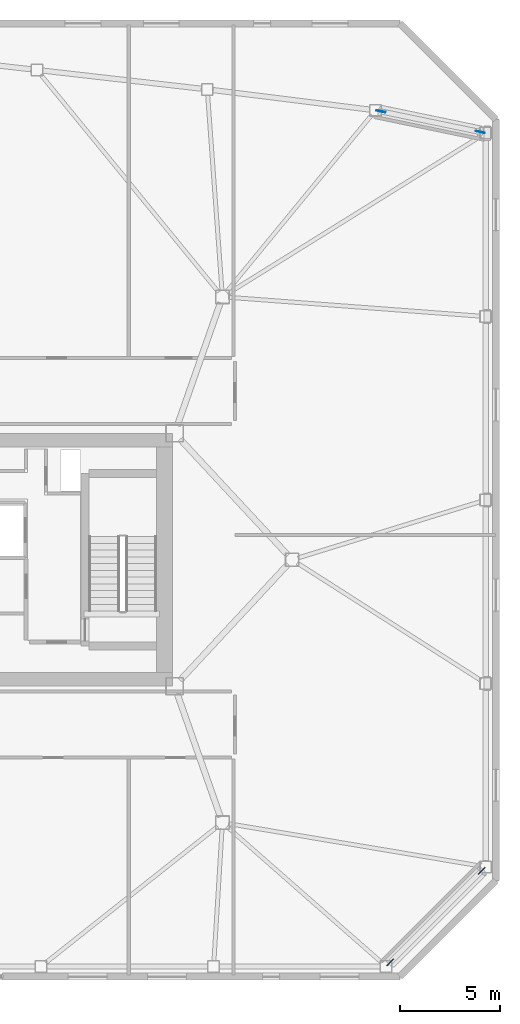
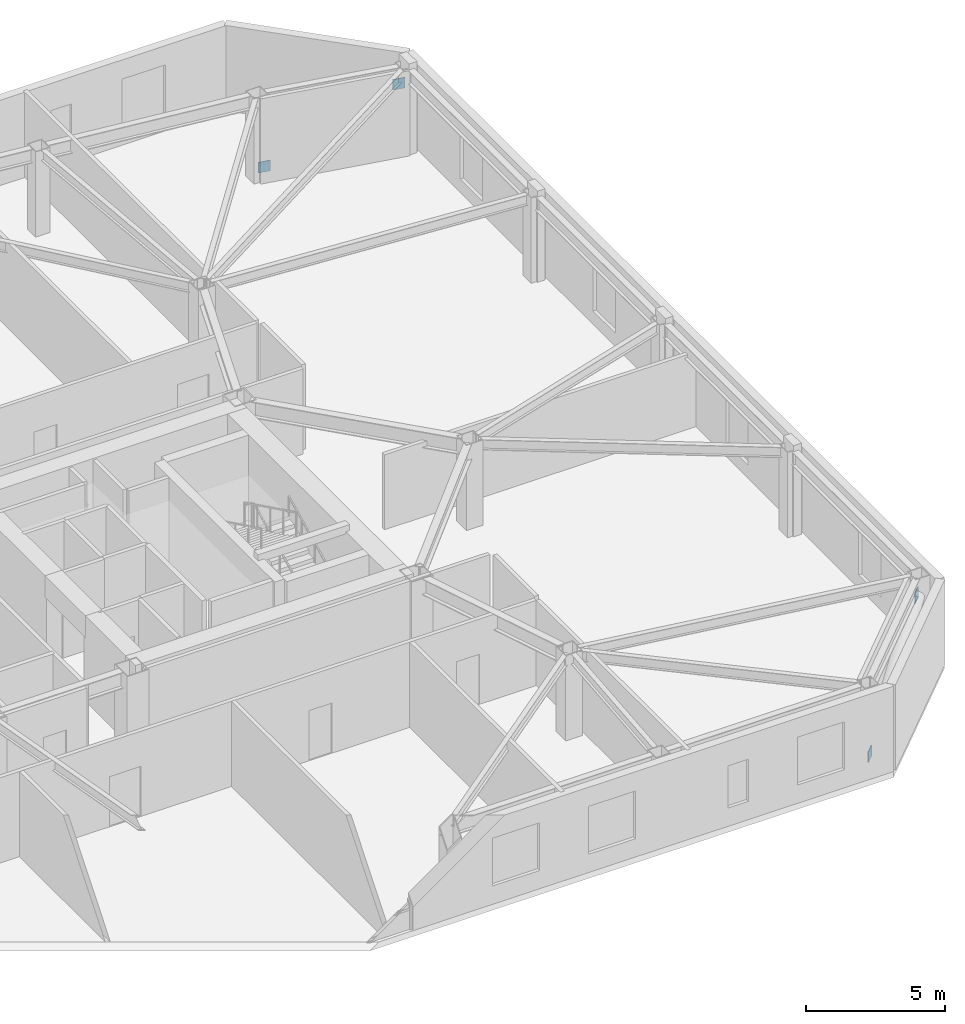
# One storey, part 17 of 18: 4 discrete accessories.
"""IFC4 building model written with IfcOpenShell, lengths in metres."""

import ifcopenshell
import ifcopenshell.guid

model = None  # the IFC model being written
_history = None  # IfcOwnerHistory: only IFC2X3 demands one
_inside = {}  # id of a spatial element -> (the spatial element, [elements in it])
_under = {}  # id of a project, library or spatial element -> (it, [spatial elements below it])
_declared = {}  # id of a project -> (the project, [libraries it declares])
_typed = {}  # id of a type object -> (the type object, [elements of that type])
_made_of = {}  # id of a material, layer set ... -> (it, [elements and type objects made of it])


def new_model(schema):
    """Start an empty IFC model of exactly this schema.

    Asked for "IFC4X3", IfcOpenShell would pick the latest addendum, in which some entities
    have other attributes; the version numbers below select the first issue.
    IFC2X3 requires an IfcOwnerHistory on every rooted entity: one is made here for all.
    """
    global model, _history
    if schema == "IFC4X3":
        model = ifcopenshell.file(schema_version=(4, 3, 0, 0))
    else:
        model = ifcopenshell.file(schema=schema)
    _inside.clear()
    _under.clear()
    _declared.clear()
    _typed.clear()
    _made_of.clear()
    _history = None
    if model.schema == "IFC2X3":
        org = make("IfcOrganization", Name="unknown")
        user = make(
            "IfcPersonAndOrganization",
            ThePerson=make("IfcPerson", FamilyName="unknown"),
            TheOrganization=org,
        )
        app = make(
            "IfcApplication",
            ApplicationDeveloper=org,
            Version="unknown",
            ApplicationFullName="unknown",
            ApplicationIdentifier="unknown",
        )
        _history = make(
            "IfcOwnerHistory",
            OwningUser=user,
            OwningApplication=app,
            ChangeAction="ADDED",
            CreationDate=0,
        )
    return model


def make(cls, **values):
    """One entity of the class cls with the attributes given. An attribute that is None is left unset."""
    return model.create_entity(
        cls, **{name: value for name, value in values.items() if value is not None}
    )


def rooted(cls, **values):
    """An entity with a GlobalId (a new one), such as an element, a storey or a relation."""
    return make(cls, GlobalId=ifcopenshell.guid.new(), OwnerHistory=_history, **values)


def si_unit(unit_type, name, prefix=None):
    """IfcSIUnit, for example si_unit("LENGTHUNIT", "METRE", prefix="MILLI")."""
    return make("IfcSIUnit", UnitType=unit_type, Prefix=prefix, Name=name)


def assignment(units):
    """IfcUnitAssignment: the units of a project."""
    return None if units is None else make("IfcUnitAssignment", Units=units)


def point(xyz):
    """IfcCartesianPoint."""
    return None if xyz is None else make("IfcCartesianPoint", Coordinates=xyz)


def direction(xyz):
    """IfcDirection."""
    return None if xyz is None else make("IfcDirection", DirectionRatios=xyz)


def frame(location, z_axis=None, x_axis=None):
    """IfcAxis2Placement3D, a coordinate frame: its origin and axes. An axis left out is left unset."""
    return make(
        "IfcAxis2Placement3D",
        Location=point(location),
        Axis=direction(z_axis),
        RefDirection=direction(x_axis),
    )


def frame_2d(location, x_axis=None):
    """IfcAxis2Placement2D, a coordinate frame in the plane: its origin and x axis."""
    return make(
        "IfcAxis2Placement2D", Location=point(location), RefDirection=direction(x_axis)
    )


def origin():
    """The frame at (0, 0, 0) with its axes left unset."""
    return frame((0.0, 0.0, 0.0))


def origin_2d():
    """The frame at (0, 0) in the plane with its x axis left unset."""
    return frame_2d((0.0, 0.0))


def place(relative_to, where):
    """IfcLocalPlacement: puts the frame where relative to a parent placement (None: the world)."""
    return make(
        "IfcLocalPlacement", PlacementRelTo=relative_to, RelativePlacement=where
    )


def context(
    kind, dimensions, precision=None, world=None, true_north=None, identifier=None
):
    """IfcGeometricRepresentationContext, for example the 3D "Model" context."""
    return make(
        "IfcGeometricRepresentationContext",
        ContextIdentifier=identifier,
        ContextType=kind,
        CoordinateSpaceDimension=dimensions,
        Precision=precision,
        WorldCoordinateSystem=world,
        TrueNorth=true_north,
    )


def subcontext(parent, identifier, kind, view, scale=None):
    """IfcGeometricRepresentationSubContext, for example "Body" below "Model"."""
    return make(
        "IfcGeometricRepresentationSubContext",
        ContextIdentifier=identifier,
        ContextType=kind,
        ParentContext=parent,
        TargetScale=scale,
        TargetView=view,
    )


def project(units=None, contexts=None):
    """IfcProject with its units and contexts."""
    return rooted(
        "IfcProject",
        Name="project",
        RepresentationContexts=contexts,
        UnitsInContext=assignment(units),
    )


def spatial(cls, under=None, at=None, **own):
    """A site, building, storey or space (cls), placed at a placement, below another one or the project."""
    s = rooted(cls, ObjectPlacement=at, **own)
    if under is not None:
        _under.setdefault(under.id(), (under, []))[1].append(s)
    return s


def profile(cls, at=None, kind="AREA", **sizes):
    """A parametric profile (cls). Its sizes go by their IFC names, for example OverallWidth=200.0."""
    return make(cls, ProfileType=kind, Position=at, **sizes)


def rectangle(**sizes):
    """IfcRectangleProfileDef."""
    return profile("IfcRectangleProfileDef", **sizes)


def extrude(swept, where, along, depth):
    """IfcExtrudedAreaSolid: the profile swept, set in the frame where, extruded along a direction by depth."""
    return make(
        "IfcExtrudedAreaSolid",
        SweptArea=swept,
        Position=where,
        ExtrudedDirection=direction(along),
        Depth=depth,
    )


def shape(context_of_items, identifier, shape_type, items):
    """IfcShapeRepresentation: the items that make up one representation, for example the "Body"."""
    return make(
        "IfcShapeRepresentation",
        ContextOfItems=context_of_items,
        RepresentationIdentifier=identifier,
        RepresentationType=shape_type,
        Items=items,
    )


def material(Name=None, Category=None):
    """IfcMaterial."""
    return make("IfcMaterial", Name=Name, Category=Category)


def made_of(thing, what):
    """Note that an element or type object is made of a material, layer set ...; save() writes the relation."""
    if what is not None:
        _made_of.setdefault(what.id(), (what, []))[1].append(thing)
    return thing


def type_object(cls, material=None, **own):
    """A type object (cls), such as IfcWallType, which elements share."""
    return made_of(rooted(cls, **own), material)


def element(
    cls,
    number,
    at=None,
    inside=None,
    cuts=None,
    type_object=None,
    material=None,
    context=None,
    identifier="Body",
    shape_type=None,
    held_by="IfcProductDefinitionShape",
    body=None,
    shapes=None,
    **own,
):
    """One element of the class cls, such as IfcWall. Its Tag is "e" and its number.

    at: its placement. inside: the storey or other place that contains it. cuts: it is an
    opening in that element (IfcRelVoidsElement). A single representation is given by context,
    identifier, shape_type and body (its items); several are given by shapes. held_by: the class
    of the entity that holds the representations. save() writes the other relations.
    """
    e = rooted(cls, Tag="e%d" % number, ObjectPlacement=at, **own)
    if body is not None:
        shapes = [shape(context, identifier, shape_type, body)]
    if shapes is not None:
        e.Representation = make(held_by, Representations=shapes)
    if inside is not None:
        _inside.setdefault(inside.id(), (inside, []))[1].append(e)
    if cuts is not None:
        rooted(
            "IfcRelVoidsElement", RelatingBuildingElement=cuts, RelatedOpeningElement=e
        )
    if type_object is not None:
        _typed.setdefault(type_object.id(), (type_object, []))[1].append(e)
    return made_of(e, material)


def aggregate(whole, parts):
    """IfcRelAggregates: a whole, such as a stair, and the parts it consists of."""
    return rooted("IfcRelAggregates", RelatingObject=whole, RelatedObjects=parts)


def save(model, path):
    """Write the relations noted so far, then the file.

    IfcRelAggregates (storeys below a building ...), IfcRelContainedInSpatialStructure (elements
    in a storey), IfcRelDefinesByType, IfcRelAssociatesMaterial and IfcRelDeclares: one each for
    every whole, place, type object, material and project.
    """
    for whole, parts in _under.values():
        aggregate(whole, parts)
    for where, things in _inside.values():
        rooted(
            "IfcRelContainedInSpatialStructure",
            RelatedElements=things,
            RelatingStructure=where,
        )
    for kind, things in _typed.values():
        rooted("IfcRelDefinesByType", RelatedObjects=things, RelatingType=kind)
    for what, things in _made_of.values():
        rooted("IfcRelAssociatesMaterial", RelatedObjects=things, RelatingMaterial=what)
    for by, libraries in _declared.values():
        rooted("IfcRelDeclares", RelatingContext=by, RelatedDefinitions=libraries)
    model.write(path)


model = new_model("IFC4")

# Units and contexts
model_context = context("Model", 3, precision=1e-05, world=origin(), true_north=direction((0.0, 1.0)))
body_context = subcontext(model_context, "Body", "Model", "MODEL_VIEW")
ifc_project = project(units=[si_unit("LENGTHUNIT", "METRE"), si_unit("AREAUNIT", "SQUARE_METRE"), si_unit("VOLUMEUNIT", "CUBIC_METRE"), si_unit("PLANEANGLEUNIT", "RADIAN"), si_unit("MASSUNIT", "GRAM", prefix="KILO")], contexts=[model_context])

# Site, building, storey
site_placement = place(None, origin())
site = spatial("IfcSite", under=ifc_project, at=site_placement, CompositionType="ELEMENT")
building_placement = place(site_placement, origin())
building = spatial("IfcBuilding", under=site, at=building_placement, Name="Tavrogorsk Clinical Tower", CompositionType="ELEMENT")
storey_placement = place(building_placement, frame((0.0, 0.0, 196.199951171875)))
storey = spatial("IfcBuildingStorey", under=building, at=storey_placement, Name="L45", CompositionType="ELEMENT", Elevation=196.199951171875)

# Discrete accessories
ifc_material = material(Name="Structural steel S440", Category="steel")
discrete_accessory_type = type_object("IfcDiscreteAccessoryType", Name="GussetPlateBracket_25", PredefinedType="BRACKET", material=ifc_material)
for number, where, z_axis, x_axis, name in (
    (1, (32.922607421875, -20.217529296875, 0.18310546875), (0.0, 0.0, 1.0), (0.707106781187, 0.707106781187, 0.0), "L45 Brace Gusset Plate EXOCRN-L45-1-A"),
    (2, (37.517333984375, -15.62255859375, 2.7470703125), (0.0, 0.0, 1.0), (0.707106781187, 0.707106781187, 0.0), "L45 Brace Gusset Plate EXOCRN-L45-1-B"),
    (3, (32.461669921875, 22.509765625, 0.20654296875), (0.0, 0.0, 1.0), (0.979187402648, -0.202958198889, 0.0), "L45 Brace Gusset Plate EXOCRN-L45-2-A"),
    (4, (37.44970703125, 21.47607421875, 2.7236328125), (0.0, 0.0, 1.0), (0.979187402648, -0.202958198889, 0.0), "L45 Brace Gusset Plate EXOCRN-L45-2-B"),
):
    element("IfcDiscreteAccessory", number, at=place(storey_placement, frame(where, z_axis=z_axis, x_axis=x_axis)), inside=storey, type_object=discrete_accessory_type, Name=name, PredefinedType="BRACKET", context=body_context, shape_type="SweptSolid", body=[
        extrude(rectangle(XDim=0.4599609375, YDim=0.0400390625, at=origin_2d()), origin(), (0.0, 0.0, 1.0), 0.4599609375),
    ])

save(model, "model.ifc")
